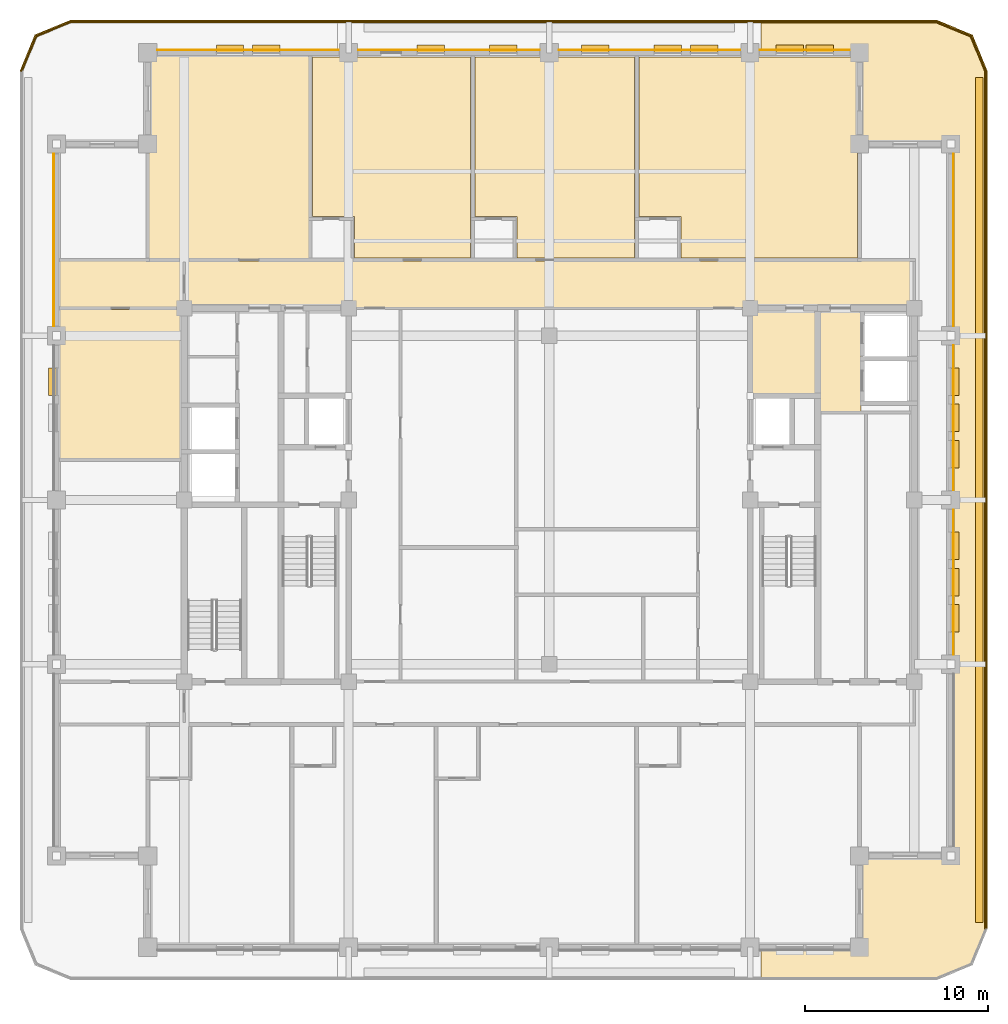
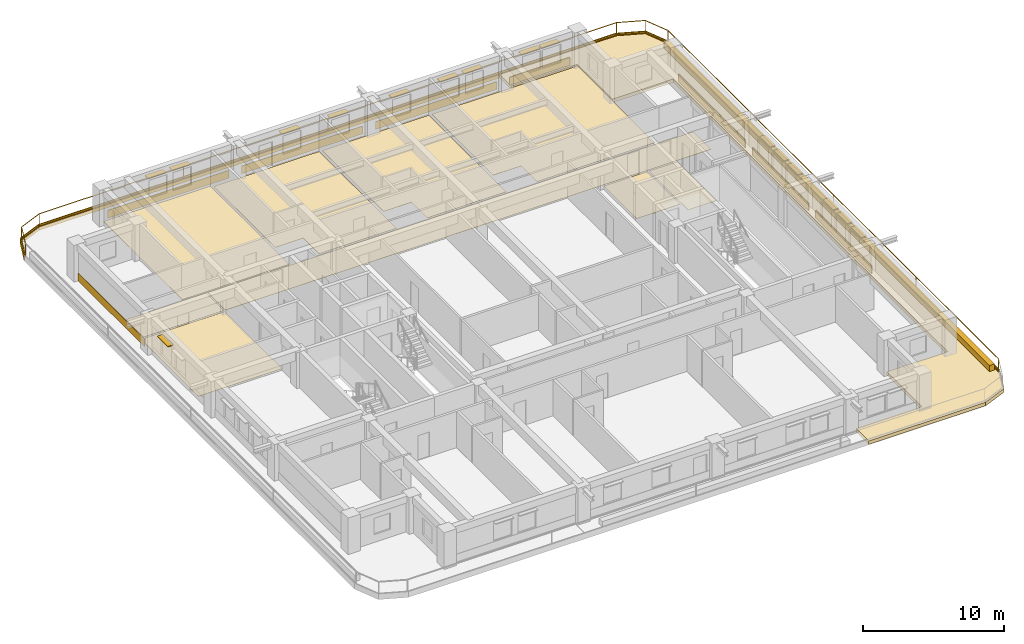
# One storey, part 14 of 14: 25 coverings, 16 shading devices, 2 railings.
"""IFC4 building model written with IfcOpenShell, lengths in metres."""

from ifc_helpers import new_model, si_unit, direction, frame, frame_2d, origin, origin_2d, place, context, subcontext, project, spatial, polyline, rectangle, outline, extrude, material, layer, layer_set, type_object, element, save


model = new_model("IFC4")

# Units and contexts
model_context = context("Model", 3, precision=1e-05, world=origin(), true_north=direction((0.0, 1.0)))
body_context = subcontext(model_context, "Body", "Model", "MODEL_VIEW")
ifc_project = project(units=[si_unit("LENGTHUNIT", "METRE"), si_unit("AREAUNIT", "SQUARE_METRE"), si_unit("VOLUMEUNIT", "CUBIC_METRE"), si_unit("PLANEANGLEUNIT", "RADIAN"), si_unit("MASSUNIT", "GRAM", prefix="KILO")], contexts=[model_context])

# Site, building, storey
site_placement = place(None, origin())
site = spatial("IfcSite", under=ifc_project, at=site_placement, CompositionType="ELEMENT")
building_placement = place(site_placement, origin())
building = spatial("IfcBuilding", under=site, at=building_placement, Name="Zulmaris Gate Convention Tower", CompositionType="ELEMENT")
storey_placement = place(building_placement, frame((0.0, 0.0, 211.85986328125)))
storey = spatial("IfcBuildingStorey", under=building, at=storey_placement, Name="L55", CompositionType="ELEMENT", Elevation=211.85986328125)

# Coverings
ifc_material_1 = material(Name="Precast concrete C40/50", Category="concrete")
ifc_layer_1 = layer(ifc_material_1, 0.0400390625, Name="Precast concrete C40/50")
ifc_layer_set_1 = layer_set([ifc_layer_1], Name="Precast concrete C40/50")
covering_type_1 = type_object("IfcCoveringType", Name="CLAD-SPANDREL-PRECAST", PredefinedType="CLADDING", material=ifc_layer_set_1)
for number, where, z_axis, x_axis, name in (
    (1, (-11.530029296875, 24.64990234375, 0.0), (0.0, 0.0, 1.0), (-1.0, 0.0, 0.0), "CLD-L55-N-0_0"),
    (2, (-0.530029296875, 24.64990234375, 0.0), (0.0, 0.0, 1.0), (-1.0, 0.0, 0.0), "CLD-L55-N-1_0"),
    (3, (10.469970703125, 24.64990234375, 0.0), (0.0, 0.0, 1.0), (-1.0, 0.0, 0.0), "CLD-L55-N-2_0"),
):
    element("IfcCovering", number, at=place(storey_placement, frame(where, z_axis=z_axis, x_axis=x_axis)), inside=storey, type_object=covering_type_1, Name=name, PredefinedType="CLADDING", context=body_context, shape_type="SweptSolid", body=[
        extrude(rectangle(XDim=9.93994140625, YDim=0.0400390625, at=frame_2d((4.969970703125, 0.0))), origin(), (0.0, 0.0, 1.0), 0.679931640625),
    ])
covering_1_placement = place(storey_placement, frame((16.469970703125, 24.64990234375, 0.0), z_axis=(0.0, 0.0, 1.0), x_axis=(-1.0, 0.0, 0.0)))
element("IfcCovering", 4, at=covering_1_placement, inside=storey, type_object=covering_type_1, Name="CLD-L55-N-3_0", PredefinedType="CLADDING", context=body_context, shape_type="SweptSolid", body=[
    extrude(rectangle(XDim=4.93994140625, YDim=0.0400390625, at=frame_2d((2.469970703125, 0.0))), origin(), (0.0, 0.0, 1.0), 0.679931640625),
])
for number, where, z_axis, x_axis, name in (
    (5, (22.14990234375, -8.469970703125, 0.0), (0.0, 0.0, 1.0), (0.0, 1.0, 0.0), "CLD-L55-E-1_0"),
    (6, (22.14990234375, 0.530029296875, 0.0), (0.0, 0.0, 1.0), (0.0, 1.0, 0.0), "CLD-L55-E-2_0"),
):
    element("IfcCovering", number, at=place(storey_placement, frame(where, z_axis=z_axis, x_axis=x_axis)), inside=storey, type_object=covering_type_1, Name=name, PredefinedType="CLADDING", context=body_context, shape_type="SweptSolid", body=[
        extrude(rectangle(XDim=7.93994140625, YDim=0.0400390625, at=frame_2d((3.969970703125, 0.0))), origin(), (0.0, 0.0, 1.0), 0.679931640625),
    ])
for number, where, z_axis, x_axis, name in (
    (7, (22.14990234375, 9.530029296875, 0.0), (0.0, 0.0, 1.0), (0.0, 1.0, 0.0), "CLD-L55-E-3_0"),
    (8, (-27.14990234375, 18.969970703125, 0.0), (0.0, 0.0, 1.0), (0.0, -1.0, 0.0), "CLD-L55-W-3_0"),
):
    element("IfcCovering", number, at=place(storey_placement, frame(where, z_axis=z_axis, x_axis=x_axis)), inside=storey, type_object=covering_type_1, Name=name, PredefinedType="CLADDING", context=body_context, shape_type="SweptSolid", body=[
        extrude(rectangle(XDim=9.43994140625, YDim=0.0400390625, at=frame_2d((4.719970703125, 0.0))), origin(), (0.0, 0.0, 1.0), 0.679931640625),
    ])
ifc_material_2 = material(Name="White Glazed Architectural Precast Concrete C40/50", Category="concrete")
ifc_layer_2 = layer(ifc_material_2, 0.239990234375, Name="White Glazed Architectural Precast Concrete C40/50")
ifc_layer_set_2 = layer_set([ifc_layer_2], Name="White Glazed Architectural Precast Concrete C40/50")
covering_type_2 = type_object("IfcCoveringType", Name="CLAD-TRAY-DECK", PredefinedType="CLADDING", material=ifc_layer_set_2)
covering_2_placement = place(storey_placement, frame((0.0, 0.0, -0.324951171875)))
element("IfcCovering", 9, at=covering_2_placement, inside=storey, type_object=covering_type_2, Name="L55 East Rounded-Fascia Planter Tray Deck", PredefinedType="CLADDING", context=body_context, shape_type="SweptSolid", body=[
    extrude(outline(polyline([(21.199951171875, 26.300048828125), (23.179931640625, 25.47998046875), (24.0, 23.5), (24.0, -23.5), (23.179931640625, -25.47998046875), (21.199951171875, -26.300048828125), (11.60205078125, -26.300048828125), (11.60205078125, -24.5), (17.0, -24.5), (17.0, -19.5), (22.0, -19.5), (22.0, 19.5), (17.0, 19.5), (17.0, 24.5), (11.60205078125, 24.5), (11.60205078125, 26.300048828125), (21.199951171875, 26.300048828125)])), origin(), (0.0, 0.0, 1.0), 0.300048828125),
])
ifc_layer_3 = layer(ifc_material_2, 0.080078125, Name="White Glazed Architectural Precast Concrete C40/50")
ifc_layer_set_3 = layer_set([ifc_layer_3], Name="White Glazed Architectural Precast Concrete C40/50")
covering_type_3 = type_object("IfcCoveringType", Name="CLAD-TRAY-FASCIA", PredefinedType="CLADDING", material=ifc_layer_set_3)
covering_3_placement = place(storey_placement, frame((23.9599609375, -23.5, -0.364990234375), z_axis=(0.0, 0.0, 1.0), x_axis=(0.0, 1.0, 0.0)))
element("IfcCovering", 10, at=covering_3_placement, inside=storey, type_object=covering_type_3, Name="FSC-L55-TR-05", PredefinedType="CLADDING", context=body_context, shape_type="SweptSolid", body=[
    extrude(rectangle(XDim=47.0, YDim=0.080078125, at=frame_2d((23.5, 0.0))), origin(), (0.0, 0.0, 1.0), 0.5),
])
covering_4_placement = place(storey_placement, frame((23.962890625, 23.484619140625, -0.364990234375), z_axis=(0.0, 0.0, 1.0), x_axis=(-0.382656984709, 0.923890487046, 0.0)))
element("IfcCovering", 11, at=covering_4_placement, inside=storey, type_object=covering_type_3, Name="FSC-L55-TR-06", PredefinedType="CLADDING", context=body_context, shape_type="SweptSolid", body=[
    extrude(rectangle(XDim=2.14306640625, YDim=0.080078125, at=frame_2d((1.071533203125, 0.0))), origin(), (0.0, 0.0, 1.0), 0.5),
])
covering_5_placement = place(storey_placement, frame((23.16455078125, 25.44287109375, -0.364990234375), z_axis=(0.0, 0.0, 1.0), x_axis=(-0.923873803533, 0.382697263049, 0.0)))
element("IfcCovering", 12, at=covering_5_placement, inside=storey, type_object=covering_type_3, Name="FSC-L55-TR-07", PredefinedType="CLADDING", context=body_context, shape_type="SweptSolid", body=[
    extrude(rectangle(XDim=2.142822265625, YDim=0.080078125, at=frame_2d((1.0712890625, 0.0))), origin(), (0.0, 0.0, 1.0), 0.5),
])
covering_6_placement = place(storey_placement, frame((21.199951171875, 26.260009765625, -0.364990234375), z_axis=(0.0, 0.0, 1.0), x_axis=(-1.0, 0.0, 0.0)))
element("IfcCovering", 13, at=covering_6_placement, inside=storey, type_object=covering_type_3, Name="FSC-L55-TR-08", PredefinedType="CLADDING", context=body_context, shape_type="SweptSolid", body=[
    extrude(rectangle(XDim=47.39990234375, YDim=0.080078125, at=frame_2d((23.699951171875, 0.0))), origin(), (0.0, 0.0, 1.0), 0.5),
])
covering_7_placement = place(storey_placement, frame((-26.184814453125, 26.262939453125, -0.364990234375), z_axis=(0.0, 0.0, 1.0), x_axis=(-0.923873803533, -0.382697263049, 0.0)))
element("IfcCovering", 14, at=covering_7_placement, inside=storey, type_object=covering_type_3, Name="FSC-L55-TR-09", PredefinedType="CLADDING", context=body_context, shape_type="SweptSolid", body=[
    extrude(rectangle(XDim=2.142822265625, YDim=0.080078125, at=frame_2d((1.0712890625, 0.0))), origin(), (0.0, 0.0, 1.0), 0.5),
])
covering_8_placement = place(storey_placement, frame((-28.142822265625, 25.464599609375, -0.364990234375), z_axis=(0.0, 0.0, 1.0), x_axis=(-0.382656984709, -0.923890487046, 0.0)))
element("IfcCovering", 15, at=covering_8_placement, inside=storey, type_object=covering_type_3, Name="FSC-L55-TR-10", PredefinedType="CLADDING", context=body_context, shape_type="SweptSolid", body=[
    extrude(rectangle(XDim=2.14306640625, YDim=0.080078125, at=frame_2d((1.071533203125, 0.0))), origin(), (0.0, 0.0, 1.0), 0.5),
])
ifc_material_3 = material(Name="Woven Acoustic Wool Carpet Tile")
ifc_layer_4 = layer(ifc_material_3, 0.02001953125, Name="Woven Acoustic Wool Carpet Tile")
ifc_layer_set_4 = layer_set([ifc_layer_4], Name="Woven Acoustic Wool Carpet Tile")
covering_type_4 = type_object("IfcCoveringType", Name="FLR-CARPET-12", PredefinedType="FLOORING", material=ifc_layer_set_4)
covering_9_placement = place(storey_placement, origin())
element("IfcCovering", 16, at=covering_9_placement, inside=storey, type_object=covering_type_4, Name="FLR-L55-R13", PredefinedType="FLOORING", context=body_context, shape_type="SweptSolid", body=[
    extrude(outline(polyline([(11.06005859375, 5.760009765625), (14.639892578125, 5.760009765625), (14.639892578125, 10.43994140625), (11.06005859375, 10.43994140625), (11.06005859375, 5.760009765625)])), origin(), (0.0, 0.0, 1.0), 0.02001953125),
])
covering_10_placement = place(storey_placement, origin())
element("IfcCovering", 17, at=covering_10_placement, inside=storey, type_object=covering_type_4, Name="FLR-L55-R23", PredefinedType="FLOORING", context=body_context, shape_type="SweptSolid", body=[
    extrude(outline(polyline([(14.760009765625, 4.860107421875), (17.090087890625, 4.860107421875), (17.090087890625, 10.43994140625), (14.760009765625, 10.43994140625), (14.760009765625, 4.860107421875)])), origin(), (0.0, 0.0, 1.0), 0.02001953125),
])
covering_11_placement = place(storey_placement, origin())
element("IfcCovering", 18, at=covering_11_placement, inside=storey, type_object=covering_type_4, Name="FLR-L55-R28", PredefinedType="FLOORING", context=body_context, shape_type="SweptSolid", body=[
    extrude(outline(polyline([(-19.93994140625, 10.56005859375), (19.93994140625, 10.56005859375), (19.93994140625, 13.090087890625), (-19.93994140625, 13.090087890625), (-19.93994140625, 10.56005859375)])), origin(), (0.0, 0.0, 1.0), 0.02001953125),
])
covering_12_placement = place(storey_placement, origin())
element("IfcCovering", 19, at=covering_12_placement, inside=storey, type_object=covering_type_4, Name="FLR-L55-R53", PredefinedType="FLOORING", context=body_context, shape_type="SweptSolid", body=[
    extrude(outline(polyline([(-26.93994140625, 10.56005859375), (-20.06005859375, 10.56005859375), (-20.06005859375, 13.090087890625), (-26.93994140625, 13.090087890625), (-26.93994140625, 10.56005859375)])), origin(), (0.0, 0.0, 1.0), 0.02001953125),
])
ifc_material_4 = material(Name="Engineered Teak Parquet Flooring")
ifc_layer_5 = layer(ifc_material_4, 0.02001953125, Name="Engineered Teak Parquet Flooring")
ifc_layer_set_5 = layer_set([ifc_layer_5], Name="Engineered Teak Parquet Flooring")
covering_type_5 = type_object("IfcCoveringType", Name="FLR-TIMBER-18", PredefinedType="FLOORING", material=ifc_layer_set_5)
covering_13_placement = place(storey_placement, origin())
element("IfcCovering", 20, at=covering_13_placement, inside=storey, type_object=covering_type_5, Name="FLR-L55-R32", PredefinedType="FLOORING", context=body_context, shape_type="SweptSolid", body=[
    extrude(outline(polyline([(-21.93994140625, 13.2099609375), (-13.159912109375, 13.2099609375), (-13.159912109375, 24.43994140625), (-21.93994140625, 24.43994140625), (-21.93994140625, 13.2099609375)])), origin(), (0.0, 0.0, 1.0), 0.02001953125),
])
covering_14_placement = place(storey_placement, origin())
element("IfcCovering", 21, at=covering_14_placement, inside=storey, type_object=covering_type_5, Name="FLR-L55-R34", PredefinedType="FLOORING", context=body_context, shape_type="SweptSolid", body=[
    extrude(outline(polyline([(-10.679931640625, 13.27001953125), (-4.320068359375, 13.27001953125), (-4.320068359375, 24.260009765625), (-12.97998046875, 24.260009765625), (-12.97998046875, 15.52001953125), (-10.679931640625, 15.52001953125), (-10.679931640625, 13.27001953125)])), origin(), (0.0, 0.0, 1.0), 0.02001953125),
])
covering_15_placement = place(storey_placement, origin())
element("IfcCovering", 22, at=covering_15_placement, inside=storey, type_object=covering_type_5, Name="FLR-L55-R36", PredefinedType="FLOORING", context=body_context, shape_type="SweptSolid", body=[
    extrude(outline(polyline([(-1.780029296875, 13.27001953125), (4.679931640625, 13.27001953125), (4.679931640625, 24.260009765625), (-4.080078125, 24.260009765625), (-4.080078125, 15.52001953125), (-1.780029296875, 15.52001953125), (-1.780029296875, 13.27001953125)])), origin(), (0.0, 0.0, 1.0), 0.02001953125),
])
covering_16_placement = place(storey_placement, origin())
element("IfcCovering", 23, at=covering_16_placement, inside=storey, type_object=covering_type_5, Name="FLR-L55-R38", PredefinedType="FLOORING", context=body_context, shape_type="SweptSolid", body=[
    extrude(outline(polyline([(7.219970703125, 13.27001953125), (16.8798828125, 13.27001953125), (16.8798828125, 24.260009765625), (4.919921875, 24.260009765625), (4.919921875, 15.52001953125), (7.219970703125, 15.52001953125), (7.219970703125, 13.27001953125)])), origin(), (0.0, 0.0, 1.0), 0.02001953125),
])
covering_17_placement = place(storey_placement, origin())
element("IfcCovering", 24, at=covering_17_placement, inside=storey, type_object=covering_type_5, Name="FLR-L55-R55", PredefinedType="FLOORING", context=body_context, shape_type="SweptSolid", body=[
    extrude(outline(polyline([(-26.93994140625, 2.260009765625), (-20.06005859375, 2.260009765625), (-20.06005859375, 10.43994140625), (-26.93994140625, 10.43994140625), (-26.93994140625, 2.260009765625)])), origin(), (0.0, 0.0, 1.0), 0.02001953125),
])
ifc_material_5 = material(Name="Botanical Green Glazed Precast Concrete C40/50", Category="concrete")
ifc_layer_6 = layer(ifc_material_5, 0.419921875, Name="Botanical Green Glazed Precast Concrete C40/50")
ifc_layer_set_6 = layer_set([ifc_layer_6], Name="Botanical Green Glazed Precast Concrete C40/50")
covering_type_6 = type_object("IfcCoveringType", Name="PLANTER-BOX-200", PredefinedType="CLADDING", material=ifc_layer_set_6)
covering_18_placement = place(storey_placement, frame((0.0, 0.0, -0.02490234375)))
element("IfcCovering", 25, at=covering_18_placement, inside=storey, type_object=covering_type_6, Name="L55 E Full-Length Balcony Tree Planter Trough", PredefinedType="CLADDING", context=body_context, shape_type="SweptSolid", body=[
    extrude(outline(polyline([(23.340087890625, -23.14990234375), (23.760009765625, -23.14990234375), (23.760009765625, 23.14990234375), (23.340087890625, 23.14990234375), (23.340087890625, -23.14990234375)])), origin(), (0.0, 0.0, 1.0), 0.52001953125),
])

# Railings
ifc_material_6 = material(Name="Laminated Glass and Stainless Steel", Category="steel")
railing_type = type_object("IfcRailingType", Name="RL-BALC-1150", PredefinedType="BALUSTRADE", material=ifc_material_6)
railing_1_placement = place(storey_placement, frame((23.8798828125, -23.5, -0.02490234375)))
element("IfcRailing", 26, at=railing_1_placement, inside=storey, type_object=railing_type, Name="RL-L55-BALC-E", PredefinedType="BALUSTRADE", context=body_context, shape_type="SweptSolid", body=[
    extrude(rectangle(XDim=0.048095703125, YDim=0.048095703125, at=origin_2d()), frame((0.0, 0.0, 1.1259765625), z_axis=(0.0, 1.0, 0.0), x_axis=(-1.0, 0.0, 0.0)), (0.0, 0.0, 1.0), 47.0),
    extrude(rectangle(XDim=0.048095703125, YDim=0.048095703125, at=origin_2d()), frame((0.0, 0.0, 0.02392578125), z_axis=(0.0, 1.0, 0.0), x_axis=(-1.0, 0.0, 0.0)), (0.0, 0.0, 1.0), 47.0),
    extrude(rectangle(XDim=0.0419921875, YDim=0.0419921875, at=origin_2d()), origin(), (0.0, 0.0, 1.0), 1.101806640625),
    extrude(rectangle(XDim=0.0419921875, YDim=0.0419921875, at=origin_2d()), frame((0.0, 11.75, 0.0)), (0.0, 0.0, 1.0), 1.101806640625),
    extrude(rectangle(XDim=0.0419921875, YDim=0.0419921875, at=origin_2d()), frame((0.0, 23.5, 0.0)), (0.0, 0.0, 1.0), 1.101806640625),
    extrude(rectangle(XDim=0.0419921875, YDim=0.0419921875, at=origin_2d()), frame((0.0, 35.25, 0.0)), (0.0, 0.0, 1.0), 1.101806640625),
    extrude(rectangle(XDim=0.0419921875, YDim=0.0419921875, at=origin_2d()), frame((0.0, 47.0, 0.0)), (0.0, 0.0, 1.0), 1.101806640625),
])
railing_2_placement = place(storey_placement, frame((23.8798828125, 23.5, -0.02490234375)))
element("IfcRailing", 27, at=railing_2_placement, inside=storey, type_object=railing_type, Name="RL-L55-BALC-N", PredefinedType="BALUSTRADE", context=body_context, shape_type="SweptSolid", body=[
    extrude(rectangle(XDim=0.048095703125, YDim=0.048095703125, at=origin_2d()), frame((0.0, 0.0, 1.1259765625), z_axis=(-0.382670664694, 0.92388482095, 0.0), x_axis=(-0.92388482095, -0.382670664694, 0.0)), (0.0, 0.0, 1.0), 2.051025390625),
    extrude(rectangle(XDim=0.048095703125, YDim=0.048095703125, at=origin_2d()), frame((0.0, 0.0, 0.02392578125), z_axis=(-0.382670664694, 0.92388482095, 0.0), x_axis=(-0.92388482095, -0.382670664694, 0.0)), (0.0, 0.0, 1.0), 2.051025390625),
    extrude(rectangle(XDim=0.048095703125, YDim=0.048095703125, at=origin_2d()), frame((-0.784912109375, 1.89501953125, 1.1259765625), z_axis=(-0.92388482095, 0.382670664694, 0.0), x_axis=(-0.382670664694, -0.92388482095, 0.0)), (0.0, 0.0, 1.0), 2.051025390625),
    extrude(rectangle(XDim=0.048095703125, YDim=0.048095703125, at=origin_2d()), frame((-0.784912109375, 1.89501953125, 0.02392578125), z_axis=(-0.92388482095, 0.382670664694, 0.0), x_axis=(-0.382670664694, -0.92388482095, 0.0)), (0.0, 0.0, 1.0), 2.051025390625),
    extrude(rectangle(XDim=0.048095703125, YDim=0.048095703125, at=origin_2d()), frame((-2.679931640625, 2.679931640625, 1.1259765625), z_axis=(-1.0, 0.0, 0.0), x_axis=(0.0, -1.0, 0.0)), (0.0, 0.0, 1.0), 47.39990234375),
    extrude(rectangle(XDim=0.048095703125, YDim=0.048095703125, at=origin_2d()), frame((-2.679931640625, 2.679931640625, 0.02392578125), z_axis=(-1.0, 0.0, 0.0), x_axis=(0.0, -1.0, 0.0)), (0.0, 0.0, 1.0), 47.39990234375),
    extrude(rectangle(XDim=0.048095703125, YDim=0.048095703125, at=origin_2d()), frame((-50.079833984375, 2.679931640625, 1.1259765625), z_axis=(-0.92388482095, -0.382670664694, 0.0), x_axis=(0.382670664694, -0.92388482095, 0.0)), (0.0, 0.0, 1.0), 2.051025390625),
    extrude(rectangle(XDim=0.048095703125, YDim=0.048095703125, at=origin_2d()), frame((-50.079833984375, 2.679931640625, 0.02392578125), z_axis=(-0.92388482095, -0.382670664694, 0.0), x_axis=(0.382670664694, -0.92388482095, 0.0)), (0.0, 0.0, 1.0), 2.051025390625),
    extrude(rectangle(XDim=0.048095703125, YDim=0.048095703125, at=origin_2d()), frame((-51.974853515625, 1.89501953125, 1.1259765625), z_axis=(-0.382670664694, -0.92388482095, 0.0), x_axis=(0.92388482095, -0.382670664694, 0.0)), (0.0, 0.0, 1.0), 2.051025390625),
    extrude(rectangle(XDim=0.048095703125, YDim=0.048095703125, at=origin_2d()), frame((-51.974853515625, 1.89501953125, 0.02392578125), z_axis=(-0.382670664694, -0.92388482095, 0.0), x_axis=(0.92388482095, -0.382670664694, 0.0)), (0.0, 0.0, 1.0), 2.051025390625),
    extrude(rectangle(XDim=0.0419921875, YDim=0.0419921875, at=origin_2d()), origin(), (0.0, 0.0, 1.0), 1.101806640625),
    extrude(rectangle(XDim=0.0419921875, YDim=0.0419921875, at=origin_2d()), frame((-0.784912109375, 1.89501953125, 0.0)), (0.0, 0.0, 1.0), 1.101806640625),
    extrude(rectangle(XDim=0.0419921875, YDim=0.0419921875, at=origin_2d()), frame((-2.679931640625, 2.679931640625, 0.0)), (0.0, 0.0, 1.0), 1.101806640625),
    extrude(rectangle(XDim=0.0419921875, YDim=0.0419921875, at=origin_2d()), frame((-14.52978515625, 2.679931640625, 0.0)), (0.0, 0.0, 1.0), 1.101806640625),
    extrude(rectangle(XDim=0.0419921875, YDim=0.0419921875, at=origin_2d()), frame((-26.3798828125, 2.679931640625, 0.0)), (0.0, 0.0, 1.0), 1.101806640625),
    extrude(rectangle(XDim=0.0419921875, YDim=0.0419921875, at=origin_2d()), frame((-38.22998046875, 2.679931640625, 0.0)), (0.0, 0.0, 1.0), 1.101806640625),
    extrude(rectangle(XDim=0.0419921875, YDim=0.0419921875, at=origin_2d()), frame((-50.079833984375, 2.679931640625, 0.0)), (0.0, 0.0, 1.0), 1.101806640625),
    extrude(rectangle(XDim=0.0419921875, YDim=0.0419921875, at=origin_2d()), frame((-51.974853515625, 1.89501953125, 0.0)), (0.0, 0.0, 1.0), 1.101806640625),
    extrude(rectangle(XDim=0.0419921875, YDim=0.0419921875, at=origin_2d()), frame((-52.759765625, 0.0, 0.0)), (0.0, 0.0, 1.0), 1.101806640625),
])

# Shading devices
ifc_material_7 = material(Name="Glazed Ceramic Terracotta", Category="masonry")
ifc_layer_7 = layer(ifc_material_7, 0.070068359375, Name="Glazed Ceramic Terracotta")
ifc_layer_set_7 = layer_set([ifc_layer_7], Name="Glazed Ceramic Terracotta")
shading_device_type = type_object("IfcShadingDeviceType", Name="SHD-SUNSHADE-TC", PredefinedType="AWNING", material=ifc_layer_set_7)
for number, where, z_axis, x_axis, name in (
    (28, (-14.756103515625, 24.719970703125, 2.35009765625), (0.0, 0.0, 1.0), (-1.0, 0.0, 0.0), "SHD-EW-L55-N-0_0-2"),
    (29, (-16.743896484375, 24.719970703125, 2.35009765625), (0.0, 0.0, 1.0), (-1.0, 0.0, 0.0), "SHD-EW-L55-N-0_0-3"),
    (30, (-1.76806640625, 24.719970703125, 2.35009765625), (0.0, 0.0, 1.0), (-1.0, 0.0, 0.0), "SHD-EW-L55-N-1_0-1"),
    (31, (-5.743896484375, 24.719970703125, 2.35009765625), (0.0, 0.0, 1.0), (-1.0, 0.0, 0.0), "SHD-EW-L55-N-1_0-3"),
    (32, (9.23193359375, 24.719970703125, 2.35009765625), (0.0, 0.0, 1.0), (-1.0, 0.0, 0.0), "SHD-EW-L55-N-2_0-1"),
    (33, (7.243896484375, 24.719970703125, 2.35009765625), (0.0, 0.0, 1.0), (-1.0, 0.0, 0.0), "SHD-EW-L55-N-2_0-2"),
    (34, (3.26806640625, 24.719970703125, 2.35009765625), (0.0, 0.0, 1.0), (-1.0, 0.0, 0.0), "SHD-EW-L55-N-2_0-4"),
    (35, (15.572998046875, 24.719970703125, 2.35009765625), (0.0, 0.0, 1.0), (-1.0, 0.0, 0.0), "SHD-EW-L55-N-3_0-1"),
    (36, (13.927001953125, 24.719970703125, 2.35009765625), (0.0, 0.0, 1.0), (-1.0, 0.0, 0.0), "SHD-EW-L55-N-3_0-2"),
    (37, (22.219970703125, -7.235107421875, 2.35009765625), (0.0, 0.0, 1.0), (0.0, 1.0, 0.0), "SHD-EW-L55-E-1_0-1"),
    (38, (22.219970703125, -5.25, 2.35009765625), (0.0, 0.0, 1.0), (0.0, 1.0, 0.0), "SHD-EW-L55-E-1_0-2"),
    (39, (22.219970703125, -3.264892578125, 2.35009765625), (0.0, 0.0, 1.0), (0.0, 1.0, 0.0), "SHD-EW-L55-E-1_0-3"),
    (40, (22.219970703125, 1.764892578125, 2.35009765625), (0.0, 0.0, 1.0), (0.0, 1.0, 0.0), "SHD-EW-L55-E-2_0-1"),
    (41, (22.219970703125, 3.75, 2.35009765625), (0.0, 0.0, 1.0), (0.0, 1.0, 0.0), "SHD-EW-L55-E-2_0-2"),
    (42, (22.219970703125, 5.735107421875, 2.35009765625), (0.0, 0.0, 1.0), (0.0, 1.0, 0.0), "SHD-EW-L55-E-2_0-3"),
    (43, (-27.219970703125, 7.235107421875, 2.35009765625), (0.0, 0.0, 1.0), (0.0, -1.0, 0.0), "SHD-EW-L55-W-2_0-1"),
):
    element("IfcShadingDevice", number, at=place(storey_placement, frame(where, z_axis=z_axis, x_axis=x_axis)), inside=storey, type_object=shading_device_type, Name=name, PredefinedType="AWNING", context=body_context, shape_type="SweptSolid", body=[
        extrude(rectangle(XDim=1.5, YDim=0.43994140625, at=frame_2d((0.75, 0.0))), origin(), (0.0, 0.0, 1.0), 0.06982421875),
    ])

save(model, "model.ifc")
